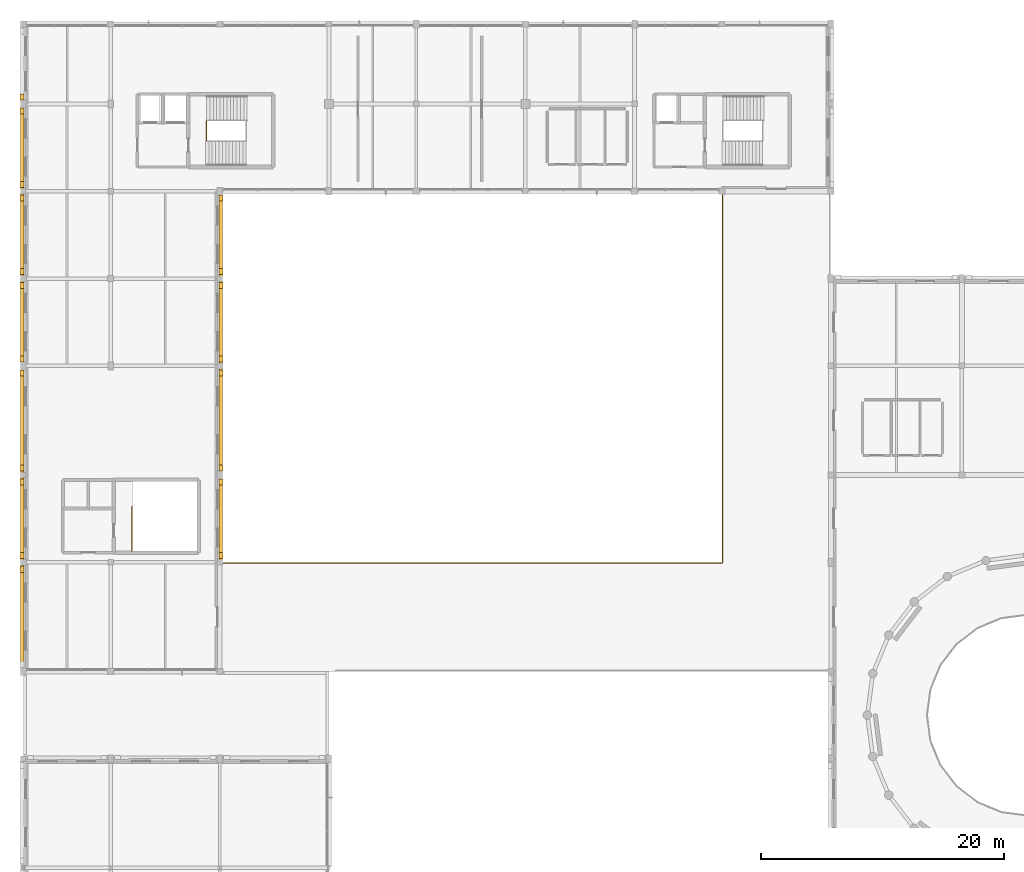
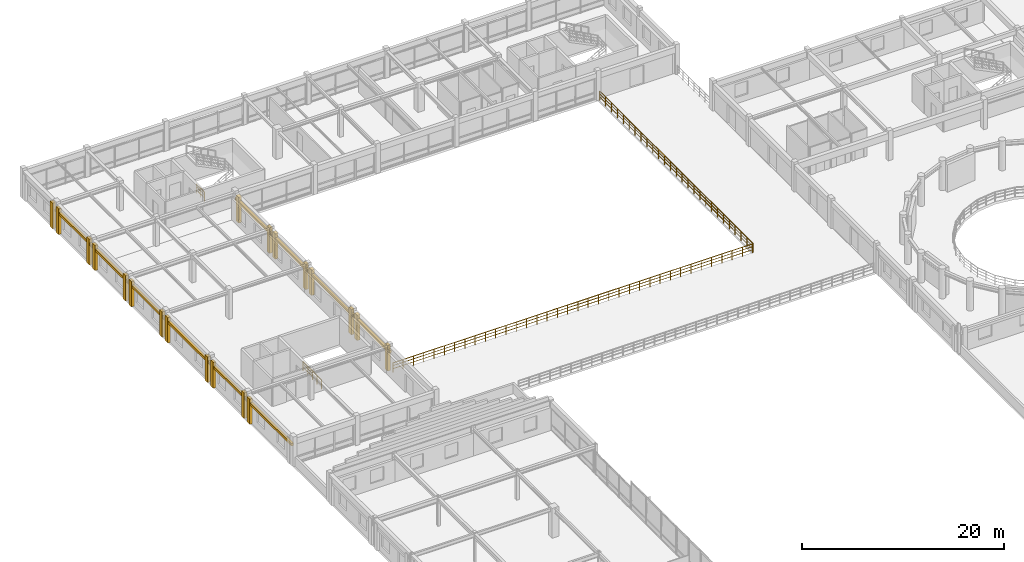
# One storey, part 66 of 74: 30 coverings, 4 railings.
"""IFC4 building model written with IfcOpenShell, lengths in metres."""

from ifc_helpers import new_model, si_unit, direction, frame, frame_2d, origin, origin_2d, place, context, subcontext, project, spatial, rectangle, circle, extrude, material, layer, layer_set, type_object, element, save


model = new_model("IFC4")

# Units and contexts
model_context = context("Model", 3, precision=1e-05, world=origin(), true_north=direction((0.0, 1.0)))
body_context = subcontext(model_context, "Body", "Model", "MODEL_VIEW")
ifc_project = project(units=[si_unit("LENGTHUNIT", "METRE"), si_unit("AREAUNIT", "SQUARE_METRE"), si_unit("VOLUMEUNIT", "CUBIC_METRE"), si_unit("PLANEANGLEUNIT", "RADIAN"), si_unit("MASSUNIT", "GRAM", prefix="KILO")], contexts=[model_context])

# Site, building, storey
site_placement = place(None, origin())
site = spatial("IfcSite", under=ifc_project, at=site_placement, CompositionType="ELEMENT")
building_placement = place(site_placement, origin())
building = spatial("IfcBuilding", under=site, at=building_placement, Name="Clarverna Civic Hall", CompositionType="ELEMENT")
storey_placement = place(building_placement, frame((0.0, 0.0, 13.199951171875)))
storey = spatial("IfcBuildingStorey", under=building, at=storey_placement, Name="L03", CompositionType="ELEMENT", Elevation=13.199951171875)

# Coverings
ifc_material_1 = material(Name="Montjuic Buff Limestone Ashlar Cladding", Category="masonry")
ifc_layer = layer(ifc_material_1, 0.070068359375)
ifc_layer_set = layer_set([ifc_layer], Name="Montjuic Buff Limestone Ashlar Cladding")
covering_type = type_object("IfcCoveringType", Name="CV-CL2", PredefinedType="CLADDING", material=ifc_layer_set)
covering_1_placement = place(storey_placement, frame((16.280029296875, 102.139892578125, 2.340087890625), z_axis=(0.0, 0.0, 1.0), x_axis=(0.0, -1.0, 0.0)))
element("IfcCovering", 1, at=covering_1_placement, inside=storey, type_object=covering_type, Name="CV-CL2-635", PredefinedType="CLADDING", context=body_context, shape_type="SweptSolid", body=[
    extrude(rectangle(XDim=7.079833984375, YDim=0.280029296875, at=frame_2d((3.5400390625, 0.0))), origin(), (0.0, 0.0, 1.0), 0.300048828125),
])
for number, where, z_axis, x_axis, name in (
    (2, (16.31005859375, 101.8798828125, 0.0), (0.0, 0.0, 1.0), (0.0, -1.0, 0.0), "CV-CL2-636"),
    (3, (16.31005859375, 95.820068359375, 0.0), (0.0, 0.0, 1.0), (0.0, -1.0, 0.0), "CV-CL2-637"),
):
    element("IfcCovering", number, at=place(storey_placement, frame(where, z_axis=z_axis, x_axis=x_axis)), inside=storey, type_object=covering_type, Name=name, PredefinedType="CLADDING", context=body_context, shape_type="SweptSolid", body=[
        extrude(rectangle(XDim=0.5, YDim=0.340087890625, at=frame_2d((0.25, 0.0))), origin(), (0.0, 0.0, 1.0), 3.10009765625),
    ])
covering_2_placement = place(storey_placement, frame((16.280029296875, 94.93994140625, 2.300048828125), z_axis=(0.0, 0.0, 1.0), x_axis=(0.0, -1.0, 0.0)))
element("IfcCovering", 4, at=covering_2_placement, inside=storey, type_object=covering_type, Name="CV-CL2-638", PredefinedType="CLADDING", context=body_context, shape_type="SweptSolid", body=[
    extrude(rectangle(XDim=7.079833984375, YDim=0.280029296875, at=frame_2d((3.5400390625, 0.0))), origin(), (0.0, 0.0, 1.0), 0.300048828125),
])
for number, where, z_axis, x_axis, name in (
    (5, (16.31005859375, 94.679931640625, 0.0), (0.0, 0.0, 1.0), (0.0, -1.0, 0.0), "CV-CL2-639"),
    (6, (16.31005859375, 88.6201171875, 0.0), (0.0, 0.0, 1.0), (0.0, -1.0, 0.0), "CV-CL2-640"),
):
    element("IfcCovering", number, at=place(storey_placement, frame(where, z_axis=z_axis, x_axis=x_axis)), inside=storey, type_object=covering_type, Name=name, PredefinedType="CLADDING", context=body_context, shape_type="SweptSolid", body=[
        extrude(rectangle(XDim=0.5, YDim=0.340087890625, at=frame_2d((0.25, 0.0))), origin(), (0.0, 0.0, 1.0), 3.06005859375),
    ])
covering_3_placement = place(storey_placement, frame((16.280029296875, 87.739990234375, 2.300048828125), z_axis=(0.0, 0.0, 1.0), x_axis=(0.0, -1.0, 0.0)))
element("IfcCovering", 7, at=covering_3_placement, inside=storey, type_object=covering_type, Name="CV-CL2-641", PredefinedType="CLADDING", context=body_context, shape_type="SweptSolid", body=[
    extrude(rectangle(XDim=8.8798828125, YDim=0.280029296875, at=frame_2d((4.43994140625, 0.0))), origin(), (0.0, 0.0, 1.0), 0.300048828125),
])
for number, where, z_axis, x_axis, name in (
    (8, (16.31005859375, 87.47998046875, 0.0), (0.0, 0.0, 1.0), (0.0, -1.0, 0.0), "CV-CL2-642"),
    (9, (16.31005859375, 79.6201171875, 0.0), (0.0, 0.0, 1.0), (0.0, -1.0, 0.0), "CV-CL2-643"),
):
    element("IfcCovering", number, at=place(storey_placement, frame(where, z_axis=z_axis, x_axis=x_axis)), inside=storey, type_object=covering_type, Name=name, PredefinedType="CLADDING", context=body_context, shape_type="SweptSolid", body=[
        extrude(rectangle(XDim=0.5, YDim=0.340087890625, at=frame_2d((0.25, 0.0))), origin(), (0.0, 0.0, 1.0), 3.06005859375),
    ])
covering_4_placement = place(storey_placement, frame((16.280029296875, 78.739990234375, 2.300048828125), z_axis=(0.0, 0.0, 1.0), x_axis=(0.0, -1.0, 0.0)))
element("IfcCovering", 10, at=covering_4_placement, inside=storey, type_object=covering_type, Name="CV-CL2-644", PredefinedType="CLADDING", context=body_context, shape_type="SweptSolid", body=[
    extrude(rectangle(XDim=7.080078125, YDim=0.280029296875, at=frame_2d((3.5400390625, 0.0))), origin(), (0.0, 0.0, 1.0), 0.300048828125),
])
for number, where, z_axis, x_axis, name in (
    (11, (16.31005859375, 78.47998046875, 0.0), (0.0, 0.0, 1.0), (0.0, -1.0, 0.0), "CV-CL2-645"),
    (12, (16.31005859375, 72.419921875, 0.0), (0.0, 0.0, 1.0), (0.0, -1.0, 0.0), "CV-CL2-646"),
):
    element("IfcCovering", number, at=place(storey_placement, frame(where, z_axis=z_axis, x_axis=x_axis)), inside=storey, type_object=covering_type, Name=name, PredefinedType="CLADDING", context=body_context, shape_type="SweptSolid", body=[
        extrude(rectangle(XDim=0.5, YDim=0.340087890625, at=frame_2d((0.25, 0.0))), origin(), (0.0, 0.0, 1.0), 3.06005859375),
    ])
covering_5_placement = place(storey_placement, frame((-0.080078125, 62.659912109375, 2.300048828125), z_axis=(0.0, 0.0, 1.0), x_axis=(0.0, 1.0, 0.0)))
element("IfcCovering", 13, at=covering_5_placement, inside=storey, type_object=covering_type, Name="CV-CL2-647", PredefinedType="CLADDING", context=body_context, shape_type="SweptSolid", body=[
    extrude(rectangle(XDim=8.880126953125, YDim=0.280029296875, at=frame_2d((4.43994140625, 0.0))), origin(), (0.0, 0.0, 1.0), 0.300048828125),
])
covering_6_placement = place(storey_placement, frame((-0.110107421875, 70.780029296875, 0.0), z_axis=(0.0, 0.0, 1.0), x_axis=(0.0, 1.0, 0.0)))
element("IfcCovering", 14, at=covering_6_placement, inside=storey, type_object=covering_type, Name="CV-CL2-649", PredefinedType="CLADDING", context=body_context, shape_type="SweptSolid", body=[
    extrude(rectangle(XDim=0.5, YDim=0.340087890625, at=frame_2d((0.25, 0.0))), origin(), (0.0, 0.0, 1.0), 3.06005859375),
])
covering_7_placement = place(storey_placement, frame((-0.080078125, 71.659912109375, 2.340087890625), z_axis=(0.0, 0.0, 1.0), x_axis=(0.0, 1.0, 0.0)))
element("IfcCovering", 15, at=covering_7_placement, inside=storey, type_object=covering_type, Name="CV-CL2-650", PredefinedType="CLADDING", context=body_context, shape_type="SweptSolid", body=[
    extrude(rectangle(XDim=7.080078125, YDim=0.280029296875, at=frame_2d((3.5400390625, 0.0))), origin(), (0.0, 0.0, 1.0), 0.300048828125),
])
for number, where, z_axis, x_axis, name in (
    (16, (-0.110107421875, 71.919921875, 0.0), (0.0, 0.0, 1.0), (0.0, 1.0, 0.0), "CV-CL2-651"),
    (17, (-0.110107421875, 77.97998046875, 0.0), (0.0, 0.0, 1.0), (0.0, 1.0, 0.0), "CV-CL2-652"),
):
    element("IfcCovering", number, at=place(storey_placement, frame(where, z_axis=z_axis, x_axis=x_axis)), inside=storey, type_object=covering_type, Name=name, PredefinedType="CLADDING", context=body_context, shape_type="SweptSolid", body=[
        extrude(rectangle(XDim=0.5, YDim=0.340087890625, at=frame_2d((0.25, 0.0))), origin(), (0.0, 0.0, 1.0), 3.10009765625),
    ])
covering_8_placement = place(storey_placement, frame((-0.080078125, 78.860107421875, 2.300048828125), z_axis=(0.0, 0.0, 1.0), x_axis=(0.0, 1.0, 0.0)))
element("IfcCovering", 18, at=covering_8_placement, inside=storey, type_object=covering_type, Name="CV-CL2-653", PredefinedType="CLADDING", context=body_context, shape_type="SweptSolid", body=[
    extrude(rectangle(XDim=8.8798828125, YDim=0.280029296875, at=frame_2d((4.43994140625, 0.0))), origin(), (0.0, 0.0, 1.0), 0.300048828125),
])
for number, where, z_axis, x_axis, name in (
    (19, (-0.110107421875, 79.1201171875, 0.0), (0.0, 0.0, 1.0), (0.0, 1.0, 0.0), "CV-CL2-654"),
    (20, (-0.110107421875, 86.97998046875, 0.0), (0.0, 0.0, 1.0), (0.0, 1.0, 0.0), "CV-CL2-655"),
):
    element("IfcCovering", number, at=place(storey_placement, frame(where, z_axis=z_axis, x_axis=x_axis)), inside=storey, type_object=covering_type, Name=name, PredefinedType="CLADDING", context=body_context, shape_type="SweptSolid", body=[
        extrude(rectangle(XDim=0.5, YDim=0.340087890625, at=frame_2d((0.25, 0.0))), origin(), (0.0, 0.0, 1.0), 3.06005859375),
    ])
covering_9_placement = place(storey_placement, frame((-0.080078125, 87.860107421875, 2.300048828125), z_axis=(0.0, 0.0, 1.0), x_axis=(0.0, 1.0, 0.0)))
element("IfcCovering", 21, at=covering_9_placement, inside=storey, type_object=covering_type, Name="CV-CL2-656", PredefinedType="CLADDING", context=body_context, shape_type="SweptSolid", body=[
    extrude(rectangle(XDim=7.079833984375, YDim=0.280029296875, at=frame_2d((3.5400390625, 0.0))), origin(), (0.0, 0.0, 1.0), 0.300048828125),
])
for number, where, z_axis, x_axis, name in (
    (22, (-0.110107421875, 88.1201171875, 0.0), (0.0, 0.0, 1.0), (0.0, 1.0, 0.0), "CV-CL2-657"),
    (23, (-0.110107421875, 94.179931640625, 0.0), (0.0, 0.0, 1.0), (0.0, 1.0, 0.0), "CV-CL2-658"),
):
    element("IfcCovering", number, at=place(storey_placement, frame(where, z_axis=z_axis, x_axis=x_axis)), inside=storey, type_object=covering_type, Name=name, PredefinedType="CLADDING", context=body_context, shape_type="SweptSolid", body=[
        extrude(rectangle(XDim=0.5, YDim=0.340087890625, at=frame_2d((0.25, 0.0))), origin(), (0.0, 0.0, 1.0), 3.06005859375),
    ])
covering_10_placement = place(storey_placement, frame((-0.080078125, 95.06005859375, 2.300048828125), z_axis=(0.0, 0.0, 1.0), x_axis=(0.0, 1.0, 0.0)))
element("IfcCovering", 24, at=covering_10_placement, inside=storey, type_object=covering_type, Name="CV-CL2-659", PredefinedType="CLADDING", context=body_context, shape_type="SweptSolid", body=[
    extrude(rectangle(XDim=7.079833984375, YDim=0.280029296875, at=frame_2d((3.5400390625, 0.0))), origin(), (0.0, 0.0, 1.0), 0.300048828125),
])
for number, where, z_axis, x_axis, name in (
    (25, (-0.110107421875, 95.320068359375, 0.0), (0.0, 0.0, 1.0), (0.0, 1.0, 0.0), "CV-CL2-660"),
    (26, (-0.110107421875, 101.3798828125, 0.0), (0.0, 0.0, 1.0), (0.0, 1.0, 0.0), "CV-CL2-661"),
):
    element("IfcCovering", number, at=place(storey_placement, frame(where, z_axis=z_axis, x_axis=x_axis)), inside=storey, type_object=covering_type, Name=name, PredefinedType="CLADDING", context=body_context, shape_type="SweptSolid", body=[
        extrude(rectangle(XDim=0.5, YDim=0.340087890625, at=frame_2d((0.25, 0.0))), origin(), (0.0, 0.0, 1.0), 3.06005859375),
    ])
covering_11_placement = place(storey_placement, frame((-0.080078125, 102.260009765625, 2.340087890625), z_axis=(0.0, 0.0, 1.0), x_axis=(0.0, 1.0, 0.0)))
element("IfcCovering", 27, at=covering_11_placement, inside=storey, type_object=covering_type, Name="CV-CL2-662", PredefinedType="CLADDING", context=body_context, shape_type="SweptSolid", body=[
    extrude(rectangle(XDim=7.080078125, YDim=0.280029296875, at=frame_2d((3.5400390625, 0.0))), origin(), (0.0, 0.0, 1.0), 0.300048828125),
])
for number, where, z_axis, x_axis, name in (
    (28, (-0.110107421875, 102.52001953125, 0.0), (0.0, 0.0, 1.0), (0.0, 1.0, 0.0), "CV-CL2-663"),
    (29, (-0.110107421875, 108.580078125, 0.0), (0.0, 0.0, 1.0), (0.0, 1.0, 0.0), "CV-CL2-664"),
    (30, (-0.110107421875, 109.719970703125, 0.0), (0.0, 0.0, 1.0), (0.0, 1.0, 0.0), "CV-CL2-666"),
):
    element("IfcCovering", number, at=place(storey_placement, frame(where, z_axis=z_axis, x_axis=x_axis)), inside=storey, type_object=covering_type, Name=name, PredefinedType="CLADDING", context=body_context, shape_type="SweptSolid", body=[
        extrude(rectangle(XDim=0.5, YDim=0.340087890625, at=frame_2d((0.25, 0.0))), origin(), (0.0, 0.0, 1.0), 3.10009765625),
    ])

# Railings
ifc_material_2 = material(Name="Anodised Bronze Architectural Balustrade")
railing_type_1 = type_object("IfcRailingType", Name="GR-01", PredefinedType="BALUSTRADE", material=ifc_material_2)
railing_1_placement = place(storey_placement, frame((57.659912109375, 71.60009765625, 0.0)))
element("IfcRailing", 31, at=railing_1_placement, inside=storey, type_object=railing_type_1, Name="GR-01-033", PredefinedType="BALUSTRADE", context=body_context, shape_type="SweptSolid", body=[
    extrude(circle(Radius=0.02392578125, at=origin_2d()), frame((0.0, 0.0, 1.09619140625), z_axis=(0.0, 1.0, 0.0), x_axis=(-1.0, 0.0, 0.0)), (0.0, 0.0, 1.0), 30.27978515625),
    extrude(circle(Radius=0.011962890625, at=origin_2d()), frame((0.0, 0.0, 0.39208984375), z_axis=(0.0, 1.0, 0.0), x_axis=(-1.0, 0.0, 0.0)), (0.0, 0.0, 1.0), 30.27978515625),
    extrude(circle(Radius=0.011962890625, at=origin_2d()), frame((0.0, 0.0, 0.76171875), z_axis=(0.0, 1.0, 0.0), x_axis=(-1.0, 0.0, 0.0)), (0.0, 0.0, 1.0), 30.27978515625),
    extrude(circle(Radius=0.02099609375, at=origin_2d()), origin(), (0.0, 0.0, 1.0), 1.072021484375),
    extrude(circle(Radius=0.02099609375, at=origin_2d()), frame((0.0, 1.16455078125, 0.0)), (0.0, 0.0, 1.0), 1.072021484375),
    extrude(circle(Radius=0.02099609375, at=origin_2d()), frame((0.0, 2.3291015625, 0.0)), (0.0, 0.0, 1.0), 1.072021484375),
    extrude(circle(Radius=0.02099609375, at=origin_2d()), frame((0.0, 3.493896484375, 0.0)), (0.0, 0.0, 1.0), 1.072021484375),
    extrude(circle(Radius=0.02099609375, at=origin_2d()), frame((0.0, 4.658447265625, 0.0)), (0.0, 0.0, 1.0), 1.072021484375),
    extrude(circle(Radius=0.02099609375, at=origin_2d()), frame((0.0, 5.822998046875, 0.0)), (0.0, 0.0, 1.0), 1.072021484375),
    extrude(circle(Radius=0.02099609375, at=origin_2d()), frame((0.0, 6.987548828125, 0.0)), (0.0, 0.0, 1.0), 1.072021484375),
    extrude(circle(Radius=0.02099609375, at=origin_2d()), frame((0.0, 8.15234375, 0.0)), (0.0, 0.0, 1.0), 1.072021484375),
    extrude(circle(Radius=0.02099609375, at=origin_2d()), frame((0.0, 9.31689453125, 0.0)), (0.0, 0.0, 1.0), 1.072021484375),
    extrude(circle(Radius=0.02099609375, at=origin_2d()), frame((0.0, 10.4814453125, 0.0)), (0.0, 0.0, 1.0), 1.072021484375),
    extrude(circle(Radius=0.02099609375, at=origin_2d()), frame((0.0, 11.64599609375, 0.0)), (0.0, 0.0, 1.0), 1.072021484375),
    extrude(circle(Radius=0.02099609375, at=origin_2d()), frame((0.0, 12.810791015625, 0.0)), (0.0, 0.0, 1.0), 1.072021484375),
    extrude(circle(Radius=0.02099609375, at=origin_2d()), frame((0.0, 13.975341796875, 0.0)), (0.0, 0.0, 1.0), 1.072021484375),
    extrude(circle(Radius=0.02099609375, at=origin_2d()), frame((0.0, 15.139892578125, 0.0)), (0.0, 0.0, 1.0), 1.072021484375),
    extrude(circle(Radius=0.02099609375, at=origin_2d()), frame((0.0, 16.304443359375, 0.0)), (0.0, 0.0, 1.0), 1.072021484375),
    extrude(circle(Radius=0.02099609375, at=origin_2d()), frame((0.0, 17.468994140625, 0.0)), (0.0, 0.0, 1.0), 1.072021484375),
    extrude(circle(Radius=0.02099609375, at=origin_2d()), frame((0.0, 18.6337890625, 0.0)), (0.0, 0.0, 1.0), 1.072021484375),
    extrude(circle(Radius=0.02099609375, at=origin_2d()), frame((0.0, 19.79833984375, 0.0)), (0.0, 0.0, 1.0), 1.072021484375),
    extrude(circle(Radius=0.02099609375, at=origin_2d()), frame((0.0, 20.962890625, 0.0)), (0.0, 0.0, 1.0), 1.072021484375),
    extrude(circle(Radius=0.02099609375, at=origin_2d()), frame((0.0, 22.12744140625, 0.0)), (0.0, 0.0, 1.0), 1.072021484375),
    extrude(circle(Radius=0.02099609375, at=origin_2d()), frame((0.0, 23.292236328125, 0.0)), (0.0, 0.0, 1.0), 1.072021484375),
    extrude(circle(Radius=0.02099609375, at=origin_2d()), frame((0.0, 24.456787109375, 0.0)), (0.0, 0.0, 1.0), 1.072021484375),
    extrude(circle(Radius=0.02099609375, at=origin_2d()), frame((0.0, 25.621337890625, 0.0)), (0.0, 0.0, 1.0), 1.072021484375),
    extrude(circle(Radius=0.02099609375, at=origin_2d()), frame((0.0, 26.785888671875, 0.0)), (0.0, 0.0, 1.0), 1.072021484375),
    extrude(circle(Radius=0.02099609375, at=origin_2d()), frame((0.0, 27.95068359375, 0.0)), (0.0, 0.0, 1.0), 1.072021484375),
    extrude(circle(Radius=0.02099609375, at=origin_2d()), frame((0.0, 29.115234375, 0.0)), (0.0, 0.0, 1.0), 1.072021484375),
    extrude(circle(Radius=0.02099609375, at=origin_2d()), frame((0.0, 30.27978515625, 0.0)), (0.0, 0.0, 1.0), 1.072021484375),
])
railing_2_placement = place(storey_placement, frame((16.52001953125, 71.5400390625, 0.0)))
element("IfcRailing", 32, at=railing_2_placement, inside=storey, type_object=railing_type_1, Name="GR-01-036", PredefinedType="BALUSTRADE", context=body_context, shape_type="SweptSolid", body=[
    extrude(circle(Radius=0.02392578125, at=origin_2d()), frame((0.0, 0.0, 1.09619140625), z_axis=(1.0, 0.0, 0.0), x_axis=(0.0, 1.0, 0.0)), (0.0, 0.0, 1.0), 41.080078125),
    extrude(circle(Radius=0.011962890625, at=origin_2d()), frame((0.0, 0.0, 0.39208984375), z_axis=(1.0, 0.0, 0.0), x_axis=(0.0, 1.0, 0.0)), (0.0, 0.0, 1.0), 41.080078125),
    extrude(circle(Radius=0.011962890625, at=origin_2d()), frame((0.0, 0.0, 0.76171875), z_axis=(1.0, 0.0, 0.0), x_axis=(0.0, 1.0, 0.0)), (0.0, 0.0, 1.0), 41.080078125),
    extrude(circle(Radius=0.02099609375, at=origin_2d()), origin(), (0.0, 0.0, 1.0), 1.072021484375),
    extrude(circle(Radius=0.02099609375, at=origin_2d()), frame((1.173828125, 0.0, 0.0)), (0.0, 0.0, 1.0), 1.072021484375),
    extrude(circle(Radius=0.02099609375, at=origin_2d()), frame((2.347412109375, 0.0, 0.0)), (0.0, 0.0, 1.0), 1.072021484375),
    extrude(circle(Radius=0.02099609375, at=origin_2d()), frame((3.521240234375, 0.0, 0.0)), (0.0, 0.0, 1.0), 1.072021484375),
    extrude(circle(Radius=0.02099609375, at=origin_2d()), frame((4.69482421875, 0.0, 0.0)), (0.0, 0.0, 1.0), 1.072021484375),
    extrude(circle(Radius=0.02099609375, at=origin_2d()), frame((5.86865234375, 0.0, 0.0)), (0.0, 0.0, 1.0), 1.072021484375),
    extrude(circle(Radius=0.02099609375, at=origin_2d()), frame((7.042236328125, 0.0, 0.0)), (0.0, 0.0, 1.0), 1.072021484375),
    extrude(circle(Radius=0.02099609375, at=origin_2d()), frame((8.216064453125, 0.0, 0.0)), (0.0, 0.0, 1.0), 1.072021484375),
    extrude(circle(Radius=0.02099609375, at=origin_2d()), frame((9.3896484375, 0.0, 0.0)), (0.0, 0.0, 1.0), 1.072021484375),
    extrude(circle(Radius=0.02099609375, at=origin_2d()), frame((10.5634765625, 0.0, 0.0)), (0.0, 0.0, 1.0), 1.072021484375),
    extrude(circle(Radius=0.02099609375, at=origin_2d()), frame((11.737060546875, 0.0, 0.0)), (0.0, 0.0, 1.0), 1.072021484375),
    extrude(circle(Radius=0.02099609375, at=origin_2d()), frame((12.910888671875, 0.0, 0.0)), (0.0, 0.0, 1.0), 1.072021484375),
    extrude(circle(Radius=0.02099609375, at=origin_2d()), frame((14.084716796875, 0.0, 0.0)), (0.0, 0.0, 1.0), 1.072021484375),
    extrude(circle(Radius=0.02099609375, at=origin_2d()), frame((15.25830078125, 0.0, 0.0)), (0.0, 0.0, 1.0), 1.072021484375),
    extrude(circle(Radius=0.02099609375, at=origin_2d()), frame((16.43212890625, 0.0, 0.0)), (0.0, 0.0, 1.0), 1.072021484375),
    extrude(circle(Radius=0.02099609375, at=origin_2d()), frame((17.605712890625, 0.0, 0.0)), (0.0, 0.0, 1.0), 1.072021484375),
    extrude(circle(Radius=0.02099609375, at=origin_2d()), frame((18.779541015625, 0.0, 0.0)), (0.0, 0.0, 1.0), 1.072021484375),
    extrude(circle(Radius=0.02099609375, at=origin_2d()), frame((19.953125, 0.0, 0.0)), (0.0, 0.0, 1.0), 1.072021484375),
    extrude(circle(Radius=0.02099609375, at=origin_2d()), frame((21.126953125, 0.0, 0.0)), (0.0, 0.0, 1.0), 1.072021484375),
    extrude(circle(Radius=0.02099609375, at=origin_2d()), frame((22.300537109375, 0.0, 0.0)), (0.0, 0.0, 1.0), 1.072021484375),
    extrude(circle(Radius=0.02099609375, at=origin_2d()), frame((23.474365234375, 0.0, 0.0)), (0.0, 0.0, 1.0), 1.072021484375),
    extrude(circle(Radius=0.02099609375, at=origin_2d()), frame((24.64794921875, 0.0, 0.0)), (0.0, 0.0, 1.0), 1.072021484375),
    extrude(circle(Radius=0.02099609375, at=origin_2d()), frame((25.82177734375, 0.0, 0.0)), (0.0, 0.0, 1.0), 1.072021484375),
    extrude(circle(Radius=0.02099609375, at=origin_2d()), frame((26.995361328125, 0.0, 0.0)), (0.0, 0.0, 1.0), 1.072021484375),
    extrude(circle(Radius=0.02099609375, at=origin_2d()), frame((28.169189453125, 0.0, 0.0)), (0.0, 0.0, 1.0), 1.072021484375),
    extrude(circle(Radius=0.02099609375, at=origin_2d()), frame((29.343017578125, 0.0, 0.0)), (0.0, 0.0, 1.0), 1.072021484375),
    extrude(circle(Radius=0.02099609375, at=origin_2d()), frame((30.5166015625, 0.0, 0.0)), (0.0, 0.0, 1.0), 1.072021484375),
    extrude(circle(Radius=0.02099609375, at=origin_2d()), frame((31.6904296875, 0.0, 0.0)), (0.0, 0.0, 1.0), 1.072021484375),
    extrude(circle(Radius=0.02099609375, at=origin_2d()), frame((32.864013671875, 0.0, 0.0)), (0.0, 0.0, 1.0), 1.072021484375),
    extrude(circle(Radius=0.02099609375, at=origin_2d()), frame((34.037841796875, 0.0, 0.0)), (0.0, 0.0, 1.0), 1.072021484375),
    extrude(circle(Radius=0.02099609375, at=origin_2d()), frame((35.21142578125, 0.0, 0.0)), (0.0, 0.0, 1.0), 1.072021484375),
    extrude(circle(Radius=0.02099609375, at=origin_2d()), frame((36.38525390625, 0.0, 0.0)), (0.0, 0.0, 1.0), 1.072021484375),
    extrude(circle(Radius=0.02099609375, at=origin_2d()), frame((37.558837890625, 0.0, 0.0)), (0.0, 0.0, 1.0), 1.072021484375),
    extrude(circle(Radius=0.02099609375, at=origin_2d()), frame((38.732666015625, 0.0, 0.0)), (0.0, 0.0, 1.0), 1.072021484375),
    extrude(circle(Radius=0.02099609375, at=origin_2d()), frame((39.90625, 0.0, 0.0)), (0.0, 0.0, 1.0), 1.072021484375),
    extrude(circle(Radius=0.02099609375, at=origin_2d()), frame((41.080078125, 0.0, 0.0)), (0.0, 0.0, 1.0), 1.072021484375),
])
railing_type_2 = type_object("IfcRailingType", Name="GR-02", PredefinedType="BALUSTRADE", material=ifc_material_2)
railing_3_placement = place(storey_placement, frame((15.110107421875, 106.39990234375, 0.0)))
element("IfcRailing", 33, at=railing_3_placement, inside=storey, type_object=railing_type_2, Name="GR-02-118", PredefinedType="BALUSTRADE", context=body_context, shape_type="SweptSolid", body=[
    extrude(circle(Radius=0.02392578125, at=origin_2d()), frame((0.0, 0.0, 1.09619140625), z_axis=(0.0, 1.0, 0.0), x_axis=(-1.0, 0.0, 0.0)), (0.0, 0.0, 1.0), 1.60009765625),
    extrude(circle(Radius=0.011962890625, at=origin_2d()), frame((0.0, 0.0, 0.39208984375), z_axis=(0.0, 1.0, 0.0), x_axis=(-1.0, 0.0, 0.0)), (0.0, 0.0, 1.0), 1.60009765625),
    extrude(circle(Radius=0.011962890625, at=origin_2d()), frame((0.0, 0.0, 0.76171875), z_axis=(0.0, 1.0, 0.0), x_axis=(-1.0, 0.0, 0.0)), (0.0, 0.0, 1.0), 1.60009765625),
    extrude(circle(Radius=0.02099609375, at=origin_2d()), origin(), (0.0, 0.0, 1.0), 1.072021484375),
    extrude(circle(Radius=0.02099609375, at=origin_2d()), frame((0.0, 0.800048828125, 0.0)), (0.0, 0.0, 1.0), 1.072021484375),
    extrude(circle(Radius=0.02099609375, at=origin_2d()), frame((0.0, 1.60009765625, 0.0)), (0.0, 0.0, 1.0), 1.072021484375),
])
railing_4_placement = place(storey_placement, frame((8.9599609375, 72.5400390625, 0.0)))
element("IfcRailing", 34, at=railing_4_placement, inside=storey, type_object=railing_type_2, Name="GR-02-211", PredefinedType="BALUSTRADE", context=body_context, shape_type="SweptSolid", body=[
    extrude(circle(Radius=0.02392578125, at=origin_2d()), frame((0.0, 0.0, 1.09619140625), z_axis=(0.0, 1.0, 0.0), x_axis=(-1.0, 0.0, 0.0)), (0.0, 0.0, 1.0), 3.659912109375),
    extrude(circle(Radius=0.011962890625, at=origin_2d()), frame((0.0, 0.0, 0.39208984375), z_axis=(0.0, 1.0, 0.0), x_axis=(-1.0, 0.0, 0.0)), (0.0, 0.0, 1.0), 3.659912109375),
    extrude(circle(Radius=0.011962890625, at=origin_2d()), frame((0.0, 0.0, 0.76171875), z_axis=(0.0, 1.0, 0.0), x_axis=(-1.0, 0.0, 0.0)), (0.0, 0.0, 1.0), 3.659912109375),
    extrude(circle(Radius=0.02099609375, at=origin_2d()), origin(), (0.0, 0.0, 1.0), 1.072021484375),
    extrude(circle(Radius=0.02099609375, at=origin_2d()), frame((0.0, 0.9150390625, 0.0)), (0.0, 0.0, 1.0), 1.072021484375),
    extrude(circle(Radius=0.02099609375, at=origin_2d()), frame((0.0, 1.830078125, 0.0)), (0.0, 0.0, 1.0), 1.072021484375),
    extrude(circle(Radius=0.02099609375, at=origin_2d()), frame((0.0, 2.744873046875, 0.0)), (0.0, 0.0, 1.0), 1.072021484375),
    extrude(circle(Radius=0.02099609375, at=origin_2d()), frame((0.0, 3.659912109375, 0.0)), (0.0, 0.0, 1.0), 1.072021484375),
])

save(model, "model.ifc")
